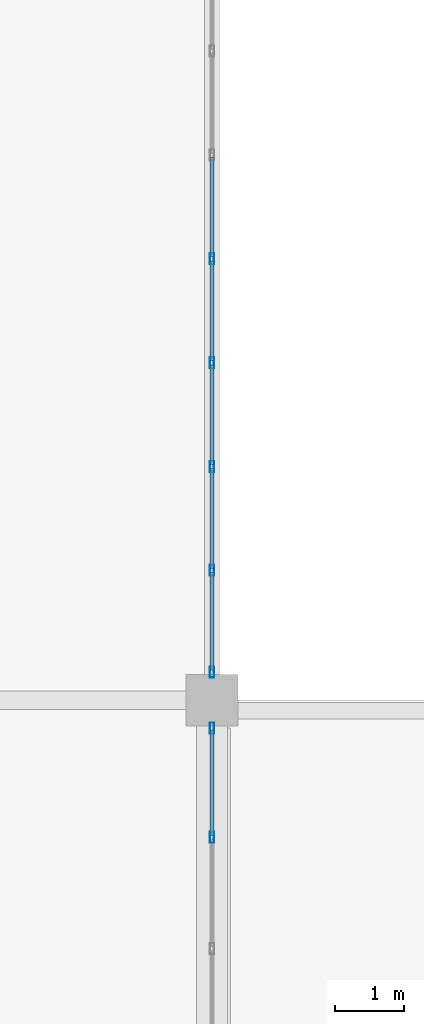
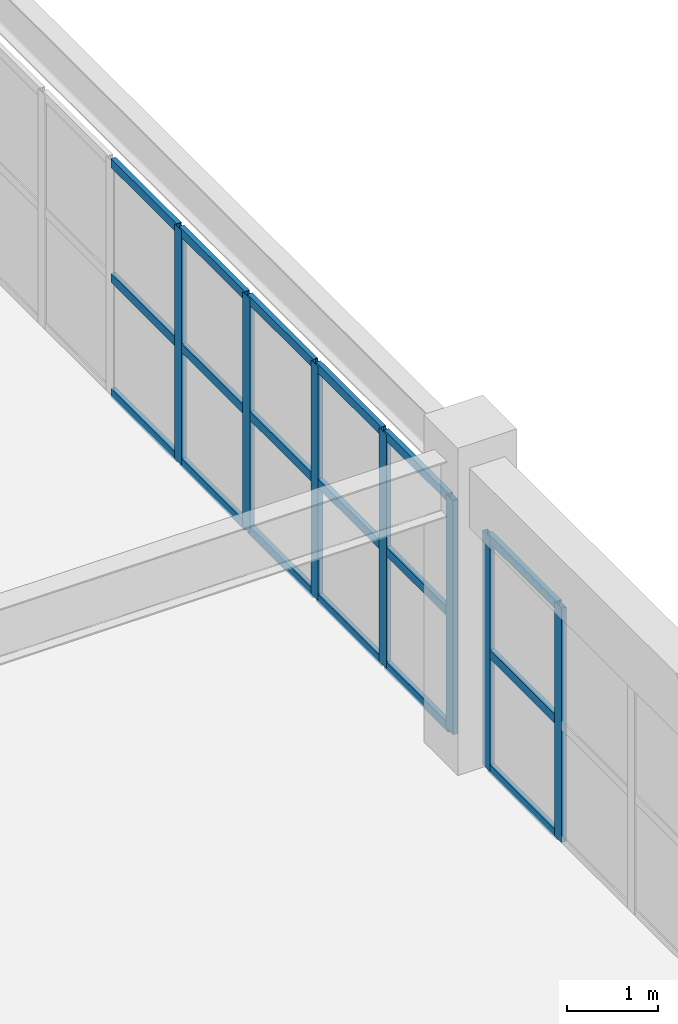
# One storey, part 51 of 90: 25 members, 2 elements without a shape of their own.
"""IFC4 building model written with IfcOpenShell, lengths in metres."""

from ifc_helpers import new_model, si_unit, direction, frame, origin, origin_2d, place, context, subcontext, project, spatial, hollow_rectangle, extrude, material, layer, layer_set, material_profile, profile_set, type_object, element, aggregate, save


model = new_model("IFC4")

# Units and contexts
model_context = context("Model", 3, precision=1e-05, world=origin(), true_north=direction((0.0, 1.0)))
body_context = subcontext(model_context, "Body", "Model", "MODEL_VIEW")
ifc_project = project(units=[si_unit("LENGTHUNIT", "METRE"), si_unit("AREAUNIT", "SQUARE_METRE"), si_unit("VOLUMEUNIT", "CUBIC_METRE"), si_unit("PLANEANGLEUNIT", "RADIAN"), si_unit("MASSUNIT", "GRAM", prefix="KILO")], contexts=[model_context])

# Site, building, storey
site_placement = place(None, origin())
site = spatial("IfcSite", under=ifc_project, at=site_placement, CompositionType="ELEMENT")
building_placement = place(site_placement, origin())
building = spatial("IfcBuilding", under=site, at=building_placement, Name="Muzn Square Opera House", CompositionType="ELEMENT")
storey_placement = place(building_placement, frame((0.0, 0.0, 9.800048828125)))
storey = spatial("IfcBuildingStorey", under=building, at=storey_placement, Name="L02", CompositionType="ELEMENT", Elevation=9.800048828125)

# Curtain wall, members
ifc_material_1 = material(Name="Low-E laminated acoustic double glazing", Category="glass")
ifc_layer_1 = layer(ifc_material_1, 0.159912109375, Name="Low-E laminated acoustic double glazing", Category="glass")
ifc_layer_set_1 = layer_set([ifc_layer_1], Name="Low-E laminated acoustic double glazing")
curtain_wall_type_1 = type_object("IfcCurtainWallType", Name="Glazed Curtain Wall RehearsalEast 8050x3150", PredefinedType="USERDEFINED", material=ifc_layer_set_1)
curtain_wall_1_placement = place(storey_placement, origin())
curtain_wall_1 = element("IfcCurtainWall", 1, at=curtain_wall_1_placement, inside=storey, type_object=curtain_wall_type_1, Name="Glazed Curtain Wall CW-L02-124", ObjectType="GLAZED CURTAIN WALL", PredefinedType="USERDEFINED")
ifc_material_2 = material(Name="Anodised bronze aluminium 6063-T6", Category="metal")
ifc_material_profile_1 = material_profile(ifc_material_2, hollow_rectangle(XDim=0.06005859375, YDim=0.159912109375, WallThickness=0.00390625, at=origin_2d()), Name="ALU 160x60x4", Category="metal")
ifc_profile_set_1 = profile_set([ifc_material_profile_1], Name="Anodised bronze aluminium 6063-T6")
member_type_1 = type_object("IfcMemberType", Name="Curtain Wall Mullion 160x60", PredefinedType="MULLION", material=ifc_profile_set_1)
member_1_placement = place(storey_placement, frame((170.0, 96.614990234375, 0.0), z_axis=(0.0, 0.0, 1.0), x_axis=(-1.0, 0.0, 0.0)))
member_1 = element("IfcMember", 2, at=member_1_placement, type_object=member_type_1, Name="CW-RHE-80x31 mullion 5", PredefinedType="MULLION", context=body_context, shape_type="SweptSolid", body=[
    extrude(hollow_rectangle(XDim=0.06005859375, YDim=0.159912109375, WallThickness=0.00390625, at=origin_2d()), origin(), (0.0, 0.0, 1.0), 3.14990234375),
])
member_2_placement = place(storey_placement, frame((170.0, 98.195068359375, 0.0), z_axis=(0.0, 0.0, 1.0), x_axis=(-1.0, 0.0, 0.0)))
member_2 = element("IfcMember", 3, at=member_2_placement, type_object=member_type_1, Name="CW-RHE-80x31 mullion 6", PredefinedType="MULLION", context=body_context, shape_type="SweptSolid", body=[
    extrude(hollow_rectangle(XDim=0.06005859375, YDim=0.159912109375, WallThickness=0.00390625, at=origin_2d()), origin(), (0.0, 0.0, 1.0), 3.14990234375),
])

ifc_layer_2 = layer(ifc_material_1, 0.159912109375, Name="Low-E laminated acoustic double glazing", Category="glass")
ifc_layer_set_2 = layer_set([ifc_layer_2], Name="Low-E laminated acoustic double glazing")
curtain_wall_type_2 = type_object("IfcCurtainWallType", Name="Glazed Curtain Wall RehearsalEast 12025x3150", PredefinedType="USERDEFINED", material=ifc_layer_set_2)
curtain_wall_2_placement = place(storey_placement, origin())
curtain_wall_2 = element("IfcCurtainWall", 4, at=curtain_wall_2_placement, inside=storey, type_object=curtain_wall_type_2, Name="Glazed Curtain Wall CW-L02-125", ObjectType="GLAZED CURTAIN WALL", PredefinedType="USERDEFINED")
member_3_placement = place(storey_placement, frame((170.0, 99.0048828125, 0.0), z_axis=(0.0, 0.0, 1.0), x_axis=(-1.0, 0.0, 0.0)))
member_3 = element("IfcMember", 5, at=member_3_placement, type_object=member_type_1, Name="CW-RHE-120x31 mullion 1", PredefinedType="MULLION", context=body_context, shape_type="SweptSolid", body=[
    extrude(hollow_rectangle(XDim=0.06005859375, YDim=0.159912109375, WallThickness=0.00390625, at=origin_2d()), origin(), (0.0, 0.0, 1.0), 3.14990234375),
])
member_4_placement = place(storey_placement, frame((170.0, 100.47802734375, 0.0), z_axis=(0.0, 0.0, 1.0), x_axis=(-1.0, 0.0, 0.0)))
member_4 = element("IfcMember", 6, at=member_4_placement, type_object=member_type_1, Name="CW-RHE-120x31 mullion 2", PredefinedType="MULLION", context=body_context, shape_type="SweptSolid", body=[
    extrude(hollow_rectangle(XDim=0.06005859375, YDim=0.159912109375, WallThickness=0.00390625, at=origin_2d()), origin(), (0.0, 0.0, 1.0), 3.14990234375),
])
member_5_placement = place(storey_placement, frame((170.0, 101.981201171875, 0.0), z_axis=(0.0, 0.0, 1.0), x_axis=(-1.0, 0.0, 0.0)))
member_5 = element("IfcMember", 7, at=member_5_placement, type_object=member_type_1, Name="CW-RHE-120x31 mullion 3", PredefinedType="MULLION", context=body_context, shape_type="SweptSolid", body=[
    extrude(hollow_rectangle(XDim=0.06005859375, YDim=0.159912109375, WallThickness=0.00390625, at=origin_2d()), origin(), (0.0, 0.0, 1.0), 3.14990234375),
])
member_6_placement = place(storey_placement, frame((170.0, 103.484375, 0.0), z_axis=(0.0, 0.0, 1.0), x_axis=(-1.0, 0.0, 0.0)))
member_6 = element("IfcMember", 8, at=member_6_placement, type_object=member_type_1, Name="CW-RHE-120x31 mullion 4", PredefinedType="MULLION", context=body_context, shape_type="SweptSolid", body=[
    extrude(hollow_rectangle(XDim=0.06005859375, YDim=0.159912109375, WallThickness=0.00390625, at=origin_2d()), origin(), (0.0, 0.0, 1.0), 3.14990234375),
])
member_7_placement = place(storey_placement, frame((170.0, 104.987548828125, 0.0), z_axis=(0.0, 0.0, 1.0), x_axis=(-1.0, 0.0, 0.0)))
member_7 = element("IfcMember", 9, at=member_7_placement, type_object=member_type_1, Name="CW-RHE-120x31 mullion 5", PredefinedType="MULLION", context=body_context, shape_type="SweptSolid", body=[
    extrude(hollow_rectangle(XDim=0.06005859375, YDim=0.159912109375, WallThickness=0.00390625, at=origin_2d()), origin(), (0.0, 0.0, 1.0), 3.14990234375),
])

# Member
ifc_material_profile_2 = material_profile(ifc_material_2, hollow_rectangle(XDim=0.06005859375, YDim=0.1201171875, WallThickness=0.00390625, at=origin_2d()), Name="ALU 120x60x4", Category="metal")
ifc_profile_set_2 = profile_set([ifc_material_profile_2], Name="Anodised bronze aluminium 6063-T6")
member_type_2 = type_object("IfcMemberType", Name="Curtain Wall Transom 120x60", PredefinedType="USERDEFINED", material=ifc_profile_set_2)
member_8_placement = place(storey_placement, frame((170.0, 96.64501953125, 0.030029296875), z_axis=(0.0, 1.0, 0.0), x_axis=(-1.0, 0.0, 0.0)))
member_8 = element("IfcMember", 10, at=member_8_placement, type_object=member_type_2, Name="CW-RHE-80x31 transom 5.1", ObjectType="TRANSOM", PredefinedType="USERDEFINED", context=body_context, shape_type="SweptSolid", body=[
    extrude(hollow_rectangle(XDim=0.06005859375, YDim=0.1201171875, WallThickness=0.00390625, at=origin_2d()), origin(), (0.0, 0.0, 1.0), 1.52001953125),
])

member_9_placement = place(storey_placement, frame((170.0, 96.64501953125, 1.574951171875), z_axis=(0.0, 1.0, 0.0), x_axis=(-1.0, 0.0, 0.0)))
member_9 = element("IfcMember", 11, at=member_9_placement, type_object=member_type_2, Name="CW-RHE-80x31 transom 5.2", ObjectType="TRANSOM", PredefinedType="USERDEFINED", context=body_context, shape_type="SweptSolid", body=[
    extrude(hollow_rectangle(XDim=0.06005859375, YDim=0.1201171875, WallThickness=0.00390625, at=origin_2d()), origin(), (0.0, 0.0, 1.0), 1.52001953125),
])

member_10_placement = place(storey_placement, frame((170.0, 96.64501953125, 3.119873046875), z_axis=(0.0, 1.0, 0.0), x_axis=(-1.0, 0.0, 0.0)))
member_10 = element("IfcMember", 12, at=member_10_placement, type_object=member_type_2, Name="CW-RHE-80x31 transom 5.3", ObjectType="TRANSOM", PredefinedType="USERDEFINED", context=body_context, shape_type="SweptSolid", body=[
    extrude(hollow_rectangle(XDim=0.06005859375, YDim=0.1201171875, WallThickness=0.00390625, at=origin_2d()), origin(), (0.0, 0.0, 1.0), 1.52001953125),
])

aggregate(curtain_wall_1, [member_1, member_2, member_8, member_9, member_10])

member_11_placement = place(storey_placement, frame((170.0, 99.034912109375, 0.030029296875), z_axis=(0.0, 1.0, 0.0), x_axis=(-1.0, 0.0, 0.0)))
member_11 = element("IfcMember", 13, at=member_11_placement, type_object=member_type_2, Name="CW-RHE-120x31 transom 1.1", ObjectType="TRANSOM", PredefinedType="USERDEFINED", context=body_context, shape_type="SweptSolid", body=[
    extrude(hollow_rectangle(XDim=0.06005859375, YDim=0.1201171875, WallThickness=0.00390625, at=origin_2d()), origin(), (0.0, 0.0, 1.0), 1.413330078125),
])

member_12_placement = place(storey_placement, frame((170.0, 99.034912109375, 1.574951171875), z_axis=(0.0, 1.0, 0.0), x_axis=(-1.0, 0.0, 0.0)))
member_12 = element("IfcMember", 14, at=member_12_placement, type_object=member_type_2, Name="CW-RHE-120x31 transom 1.2", ObjectType="TRANSOM", PredefinedType="USERDEFINED", context=body_context, shape_type="SweptSolid", body=[
    extrude(hollow_rectangle(XDim=0.06005859375, YDim=0.1201171875, WallThickness=0.00390625, at=origin_2d()), origin(), (0.0, 0.0, 1.0), 1.413330078125),
])

member_13_placement = place(storey_placement, frame((170.0, 99.034912109375, 3.119873046875), z_axis=(0.0, 1.0, 0.0), x_axis=(-1.0, 0.0, 0.0)))
member_13 = element("IfcMember", 15, at=member_13_placement, type_object=member_type_2, Name="CW-RHE-120x31 transom 1.3", ObjectType="TRANSOM", PredefinedType="USERDEFINED", context=body_context, shape_type="SweptSolid", body=[
    extrude(hollow_rectangle(XDim=0.06005859375, YDim=0.1201171875, WallThickness=0.00390625, at=origin_2d()), origin(), (0.0, 0.0, 1.0), 1.413330078125),
])

member_14_placement = place(storey_placement, frame((170.0, 100.508056640625, 0.030029296875), z_axis=(0.0, 1.0, 0.0), x_axis=(-1.0, 0.0, 0.0)))
member_14 = element("IfcMember", 16, at=member_14_placement, type_object=member_type_2, Name="CW-RHE-120x31 transom 2.1", ObjectType="TRANSOM", PredefinedType="USERDEFINED", context=body_context, shape_type="SweptSolid", body=[
    extrude(hollow_rectangle(XDim=0.06005859375, YDim=0.1201171875, WallThickness=0.00390625, at=origin_2d()), origin(), (0.0, 0.0, 1.0), 1.443115234375),
])

member_15_placement = place(storey_placement, frame((170.0, 100.508056640625, 1.574951171875), z_axis=(0.0, 1.0, 0.0), x_axis=(-1.0, 0.0, 0.0)))
member_15 = element("IfcMember", 17, at=member_15_placement, type_object=member_type_2, Name="CW-RHE-120x31 transom 2.2", ObjectType="TRANSOM", PredefinedType="USERDEFINED", context=body_context, shape_type="SweptSolid", body=[
    extrude(hollow_rectangle(XDim=0.06005859375, YDim=0.1201171875, WallThickness=0.00390625, at=origin_2d()), origin(), (0.0, 0.0, 1.0), 1.443115234375),
])

member_16_placement = place(storey_placement, frame((170.0, 100.508056640625, 3.119873046875), z_axis=(0.0, 1.0, 0.0), x_axis=(-1.0, 0.0, 0.0)))
member_16 = element("IfcMember", 18, at=member_16_placement, type_object=member_type_2, Name="CW-RHE-120x31 transom 2.3", ObjectType="TRANSOM", PredefinedType="USERDEFINED", context=body_context, shape_type="SweptSolid", body=[
    extrude(hollow_rectangle(XDim=0.06005859375, YDim=0.1201171875, WallThickness=0.00390625, at=origin_2d()), origin(), (0.0, 0.0, 1.0), 1.443115234375),
])

member_17_placement = place(storey_placement, frame((170.0, 102.01123046875, 0.030029296875), z_axis=(0.0, 1.0, 0.0), x_axis=(-1.0, 0.0, 0.0)))
member_17 = element("IfcMember", 19, at=member_17_placement, type_object=member_type_2, Name="CW-RHE-120x31 transom 3.1", ObjectType="TRANSOM", PredefinedType="USERDEFINED", context=body_context, shape_type="SweptSolid", body=[
    extrude(hollow_rectangle(XDim=0.06005859375, YDim=0.1201171875, WallThickness=0.00390625, at=origin_2d()), origin(), (0.0, 0.0, 1.0), 1.443115234375),
])

member_18_placement = place(storey_placement, frame((170.0, 102.01123046875, 1.574951171875), z_axis=(0.0, 1.0, 0.0), x_axis=(-1.0, 0.0, 0.0)))
member_18 = element("IfcMember", 20, at=member_18_placement, type_object=member_type_2, Name="CW-RHE-120x31 transom 3.2", ObjectType="TRANSOM", PredefinedType="USERDEFINED", context=body_context, shape_type="SweptSolid", body=[
    extrude(hollow_rectangle(XDim=0.06005859375, YDim=0.1201171875, WallThickness=0.00390625, at=origin_2d()), origin(), (0.0, 0.0, 1.0), 1.443115234375),
])

member_19_placement = place(storey_placement, frame((170.0, 102.01123046875, 3.119873046875), z_axis=(0.0, 1.0, 0.0), x_axis=(-1.0, 0.0, 0.0)))
member_19 = element("IfcMember", 21, at=member_19_placement, type_object=member_type_2, Name="CW-RHE-120x31 transom 3.3", ObjectType="TRANSOM", PredefinedType="USERDEFINED", context=body_context, shape_type="SweptSolid", body=[
    extrude(hollow_rectangle(XDim=0.06005859375, YDim=0.1201171875, WallThickness=0.00390625, at=origin_2d()), origin(), (0.0, 0.0, 1.0), 1.443115234375),
])

member_20_placement = place(storey_placement, frame((170.0, 103.514404296875, 0.030029296875), z_axis=(0.0, 1.0, 0.0), x_axis=(-1.0, 0.0, 0.0)))
member_20 = element("IfcMember", 22, at=member_20_placement, type_object=member_type_2, Name="CW-RHE-120x31 transom 4.1", ObjectType="TRANSOM", PredefinedType="USERDEFINED", context=body_context, shape_type="SweptSolid", body=[
    extrude(hollow_rectangle(XDim=0.06005859375, YDim=0.1201171875, WallThickness=0.00390625, at=origin_2d()), origin(), (0.0, 0.0, 1.0), 1.443115234375),
])

member_21_placement = place(storey_placement, frame((170.0, 103.514404296875, 1.574951171875), z_axis=(0.0, 1.0, 0.0), x_axis=(-1.0, 0.0, 0.0)))
member_21 = element("IfcMember", 23, at=member_21_placement, type_object=member_type_2, Name="CW-RHE-120x31 transom 4.2", ObjectType="TRANSOM", PredefinedType="USERDEFINED", context=body_context, shape_type="SweptSolid", body=[
    extrude(hollow_rectangle(XDim=0.06005859375, YDim=0.1201171875, WallThickness=0.00390625, at=origin_2d()), origin(), (0.0, 0.0, 1.0), 1.443115234375),
])

member_22_placement = place(storey_placement, frame((170.0, 103.514404296875, 3.119873046875), z_axis=(0.0, 1.0, 0.0), x_axis=(-1.0, 0.0, 0.0)))
member_22 = element("IfcMember", 24, at=member_22_placement, type_object=member_type_2, Name="CW-RHE-120x31 transom 4.3", ObjectType="TRANSOM", PredefinedType="USERDEFINED", context=body_context, shape_type="SweptSolid", body=[
    extrude(hollow_rectangle(XDim=0.06005859375, YDim=0.1201171875, WallThickness=0.00390625, at=origin_2d()), origin(), (0.0, 0.0, 1.0), 1.443115234375),
])

member_23_placement = place(storey_placement, frame((170.0, 105.017578125, 0.030029296875), z_axis=(0.0, 1.0, 0.0), x_axis=(-1.0, 0.0, 0.0)))
member_23 = element("IfcMember", 25, at=member_23_placement, type_object=member_type_2, Name="CW-RHE-120x31 transom 5.1", ObjectType="TRANSOM", PredefinedType="USERDEFINED", context=body_context, shape_type="SweptSolid", body=[
    extrude(hollow_rectangle(XDim=0.06005859375, YDim=0.1201171875, WallThickness=0.00390625, at=origin_2d()), origin(), (0.0, 0.0, 1.0), 1.443115234375),
])

member_24_placement = place(storey_placement, frame((170.0, 105.017578125, 1.574951171875), z_axis=(0.0, 1.0, 0.0), x_axis=(-1.0, 0.0, 0.0)))
member_24 = element("IfcMember", 26, at=member_24_placement, type_object=member_type_2, Name="CW-RHE-120x31 transom 5.2", ObjectType="TRANSOM", PredefinedType="USERDEFINED", context=body_context, shape_type="SweptSolid", body=[
    extrude(hollow_rectangle(XDim=0.06005859375, YDim=0.1201171875, WallThickness=0.00390625, at=origin_2d()), origin(), (0.0, 0.0, 1.0), 1.443115234375),
])

member_25_placement = place(storey_placement, frame((170.0, 105.017578125, 3.119873046875), z_axis=(0.0, 1.0, 0.0), x_axis=(-1.0, 0.0, 0.0)))
member_25 = element("IfcMember", 27, at=member_25_placement, type_object=member_type_2, Name="CW-RHE-120x31 transom 5.3", ObjectType="TRANSOM", PredefinedType="USERDEFINED", context=body_context, shape_type="SweptSolid", body=[
    extrude(hollow_rectangle(XDim=0.06005859375, YDim=0.1201171875, WallThickness=0.00390625, at=origin_2d()), origin(), (0.0, 0.0, 1.0), 1.443115234375),
])

aggregate(curtain_wall_2, [member_3, member_4, member_5, member_6, member_7, member_11, member_12, member_13, member_14, member_15, member_16, member_17, member_18, member_19, member_20, member_21, member_22, member_23, member_24, member_25])

save(model, "model.ifc")
